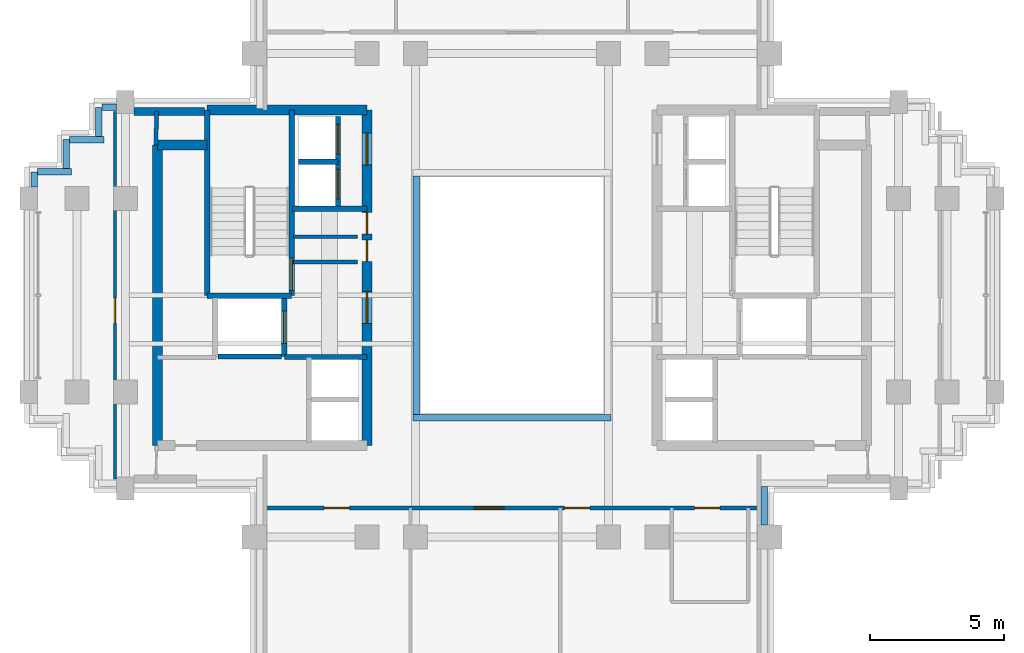
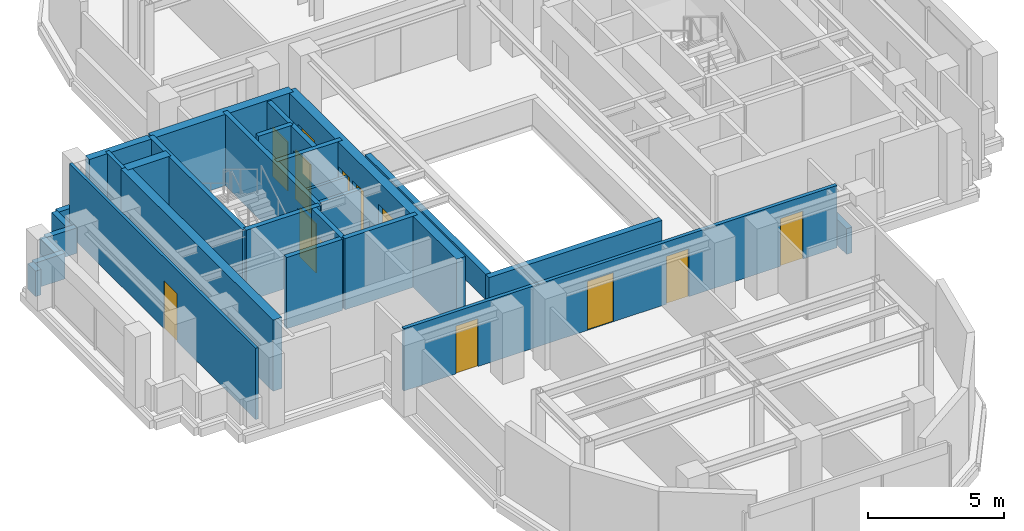
# One storey, part 6 of 11: 29 walls, 13 doors, 13 openings.
"""IFC4 building model written with IfcOpenShell, lengths in metres."""

from ifc_helpers import new_model, si_unit, direction, frame, frame_2d, origin, place, context, subcontext, project, spatial, rectangle, extrude, source, transform, mapped, material, layer, layer_set, type_object, element, fill, save


model = new_model("IFC4")

# Units and contexts
model_context = context("Model", 3, precision=1e-05, world=origin(), true_north=direction((0.0, 1.0)))
body_context = subcontext(model_context, "Body", "Model", "MODEL_VIEW")
ifc_project = project(units=[si_unit("LENGTHUNIT", "METRE"), si_unit("AREAUNIT", "SQUARE_METRE"), si_unit("VOLUMEUNIT", "CUBIC_METRE"), si_unit("PLANEANGLEUNIT", "RADIAN"), si_unit("MASSUNIT", "GRAM", prefix="KILO")], contexts=[model_context])

# Site, building, storey
site_placement = place(None, origin())
site = spatial("IfcSite", under=ifc_project, at=site_placement, CompositionType="ELEMENT")
building_placement = place(site_placement, origin())
building = spatial("IfcBuilding", under=site, at=building_placement, Name="Keilestroom Media Tower", CompositionType="ELEMENT")
storey_placement = place(building_placement, frame((0.0, 0.0, 180.800048828125)))
storey = spatial("IfcBuildingStorey", under=building, at=storey_placement, Name="L49", CompositionType="ELEMENT", Elevation=180.800048828125)

# Walls
ifc_material_1 = material(Name="Precast concrete C40/50", Category="concrete")
ifc_layer_1 = layer(ifc_material_1, 0.300048828125)
ifc_layer_set_1 = layer_set([ifc_layer_1], Name="Precast concrete C40/50")
wall_type_1 = type_object("IfcWallType", Name="Exterior-Masonry-Spandrel-Wall-300", PredefinedType="SOLIDWALL", material=ifc_layer_set_1)
wall_1_placement = place(storey_placement, frame((-14.0830078125, 6.85009765625, 0.0), z_axis=(0.0, 0.0, 1.0), x_axis=(1.0, 0.0, 0.0)))
element("IfcWall", 1, at=wall_1_placement, inside=storey, type_object=wall_type_1, Name="L49 Flank Masonry Wall EWL-L49-NW-1", PredefinedType="SOLIDWALL", context=body_context, shape_type="SweptSolid", body=[
    extrude(rectangle(XDim=2.635009765625, YDim=0.300048828125, at=frame_2d((1.3173828125, 0.0))), origin(), (0.0, 0.0, 1.0), 3.199951171875),
])
ifc_material_2 = material(Name="Gypsum Plasterboard & Steel Stud", Category="steel")
ifc_layer_2 = layer(ifc_material_2, 0.1201171875)
ifc_layer_set_2 = layer_set([ifc_layer_2], Name="Gypsum Plasterboard & Steel Stud")
wall_type_2 = type_object("IfcWallType", Name="Interior-Partition-Wall-120", PredefinedType="PARTITIONING", material=ifc_layer_set_2)
wall_2_placement = place(storey_placement, frame((-8.139892578125, 2.179931640625, 0.0), z_axis=(0.0, 0.0, 1.0), x_axis=(1.0, 0.0, 0.0)))
element("IfcWall", 2, at=wall_2_placement, inside=storey, type_object=wall_type_2, Name="L49 Interior Wall WP-L49-CNW-N", PredefinedType="PARTITIONING", context=body_context, shape_type="SweptSolid", body=[
    extrude(rectangle(XDim=2.389892578125, YDim=0.1201171875, at=frame_2d((1.19482421875, 0.0))), origin(), (0.0, 0.0, 1.0), 2.300048828125),
])

# Wall, opening, door
wall_3_placement = place(storey_placement, frame((-14.7900390625, -6.85009765625, 0.0), z_axis=(0.0, 0.0, 1.0), x_axis=(0.0, 1.0, 0.0)))
wall_3 = element("IfcWall", 3, at=wall_3_placement, inside=storey, type_object=wall_type_2, Name="L49 Interior Wall WP-L49-WA-V", PredefinedType="PARTITIONING", context=body_context, shape_type="SweptSolid", body=[
    extrude(rectangle(XDim=13.7001953125, YDim=0.1201171875, at=frame_2d((6.85009765625, 0.0))), origin(), (0.0, 0.0, 1.0), 3.199951171875),
])
opening_1_placement = place(wall_3_placement, frame((5.800048828125, 0.0, 0.0)))
opening_1 = element("IfcOpeningElement", 4, at=opening_1_placement, cuts=wall_3, Name="Opening DI-03", PredefinedType="OPENING", context=body_context, shape_type="SweptSolid", body=[
    extrude(rectangle(XDim=0.949951171875, YDim=2.14990234375, at=frame_2d((0.47509765625, 1.074951171875))), frame((0.0, 0.070068359375, 0.0), z_axis=(0.0, -1.0, 0.0), x_axis=(1.0, 0.0, 0.0)), (0.0, 0.0, 1.0), 0.14013671875),
])
ifc_material_3 = material(Name="Lacquered European Oak Leaf", Category="wood")
door_type_1 = type_object("IfcDoorType", Name="Interior-Room-And-Suite-Door-DI-03", OperationType="NOTDEFINED", PredefinedType="DOOR", material=ifc_material_3)
shared_shape_1 = source(origin(), body_context, "Body", "SweptSolid", [
    extrude(rectangle(XDim=0.949951171875, YDim=2.14990234375, at=frame_2d((0.47509765625, 1.074951171875))), frame((0.0, 0.02490234375, 0.0), z_axis=(0.0, -1.0, 0.0), x_axis=(1.0, 0.0, 0.0)), (0.0, 0.0, 1.0), 0.050048828125),
])
door_1_placement = place(opening_1_placement, origin())
door_1 = element("IfcDoor", 5, at=door_1_placement, inside=storey, type_object=door_type_1, Name="L49 Interior Door DI-L49-DWA-W", OperationType="SINGLE_SWING_RIGHT", OverallHeight=2.14990234375, OverallWidth=0.949951171875, PredefinedType="DOOR", context=body_context, shape_type="MappedRepresentation", body=[
    mapped(shared_shape_1, transform((0.0, 0.0, 0.0), x_axis=(1.0, 0.0, 0.0), y_axis=(0.0, 1.0, 0.0), z_axis=(0.0, 0.0, 1.0), scale=1.0)),
])
fill(opening_1, door_1)

# Wall
ifc_layer_3 = layer(ifc_material_2, 0.14990234375)
ifc_layer_set_3 = layer_set([ifc_layer_3], Name="Gypsum Plasterboard & Steel Stud")
wall_type_3 = type_object("IfcWallType", Name="Interior-Partition-Wall-150", PredefinedType="PARTITIONING", material=ifc_layer_set_3)
wall_4_placement = place(storey_placement, frame((-8.139892578125, 1.239990234375, 0.0), z_axis=(0.0, 0.0, 1.0), x_axis=(1.0, 0.0, 0.0)))
element("IfcWall", 6, at=wall_4_placement, inside=storey, type_object=wall_type_3, Name="L49 Interior Wall WP-L49-FFW-TOP", PredefinedType="PARTITIONING", context=body_context, shape_type="SweptSolid", body=[
    extrude(rectangle(XDim=2.389892578125, YDim=0.14990234375, at=frame_2d((1.19482421875, 0.0))), origin(), (0.0, 0.0, 1.0), 2.300048828125),
])

# Wall, openings, doors
wall_5_placement = place(storey_placement, frame((-9.199951171875, -7.919921875, 0.0), z_axis=(0.0, 0.0, 1.0), x_axis=(1.0, 0.0, 0.0)))
wall_5 = element("IfcWall", 7, at=wall_5_placement, inside=storey, type_object=wall_type_3, Name="L49 Interior Wall WP-L49-SL-BASE", PredefinedType="PARTITIONING", context=body_context, shape_type="SweptSolid", body=[
    extrude(rectangle(XDim=18.39990234375, YDim=0.14990234375, at=frame_2d((9.199951171875, 0.0))), origin(), (0.0, 0.0, 1.0), 2.800048828125),
])
opening_2_placement = place(wall_5_placement, frame((16.0, 0.0, 0.0)))
opening_2 = element("IfcOpeningElement", 8, at=opening_2_placement, cuts=wall_5, Name="Opening DI-03", PredefinedType="OPENING", context=body_context, shape_type="SweptSolid", body=[
    extrude(rectangle(XDim=0.949951171875, YDim=2.14990234375, at=frame_2d((0.47509765625, 1.074951171875))), frame((0.0, 0.0849609375, 0.0), z_axis=(0.0, -1.0, 0.0), x_axis=(1.0, 0.0, 0.0)), (0.0, 0.0, 1.0), 0.169921875),
])
opening_3_placement = place(wall_5_placement, frame((2.199951171875, 0.0, 0.0)))
opening_3 = element("IfcOpeningElement", 9, at=opening_3_placement, cuts=wall_5, Name="Opening DI-03", PredefinedType="OPENING", context=body_context, shape_type="SweptSolid", body=[
    extrude(rectangle(XDim=0.949951171875, YDim=2.14990234375, at=frame_2d((0.47509765625, 1.074951171875))), frame((0.0, 0.0849609375, 0.0), z_axis=(0.0, -1.0, 0.0), x_axis=(1.0, 0.0, 0.0)), (0.0, 0.0, 1.0), 0.169921875),
])
opening_4_placement = place(wall_5_placement, frame((7.800048828125, 0.0, 0.0)))
opening_4 = element("IfcOpeningElement", 10, at=opening_4_placement, cuts=wall_5, Name="Opening DI-04", PredefinedType="OPENING", context=body_context, shape_type="SweptSolid", body=[
    extrude(rectangle(XDim=1.10009765625, YDim=2.199951171875, at=frame_2d((0.550048828125, 1.10009765625))), frame((0.0, 0.0849609375, 0.0), z_axis=(0.0, -1.0, 0.0), x_axis=(1.0, 0.0, 0.0)), (0.0, 0.0, 1.0), 0.169921875),
])
opening_5_placement = place(wall_5_placement, frame((11.14990234375, 0.0, 0.0)))
opening_5 = element("IfcOpeningElement", 11, at=opening_5_placement, cuts=wall_5, Name="Opening DI-03", PredefinedType="OPENING", context=body_context, shape_type="SweptSolid", body=[
    extrude(rectangle(XDim=0.949951171875, YDim=2.14990234375, at=frame_2d((0.47509765625, 1.074951171875))), frame((0.0, 0.0849609375, 0.0), z_axis=(0.0, -1.0, 0.0), x_axis=(1.0, 0.0, 0.0)), (0.0, 0.0, 1.0), 0.169921875),
])
door_2_placement = place(opening_2_placement, origin())
door_2 = element("IfcDoor", 12, at=door_2_placement, inside=storey, type_object=door_type_1, Name="L49 Interior Door DI-L49-DSL-WC2", OperationType="SINGLE_SWING_LEFT", OverallHeight=2.14990234375, OverallWidth=0.949951171875, PredefinedType="DOOR", context=body_context, shape_type="MappedRepresentation", body=[
    mapped(shared_shape_1, transform((0.0, 0.0, 0.0), x_axis=(1.0, 0.0, 0.0), y_axis=(0.0, 1.0, 0.0), z_axis=(0.0, 0.0, 1.0), scale=1.0)),
])
fill(opening_2, door_2)
door_3_placement = place(opening_3_placement, origin())
door_3 = element("IfcDoor", 13, at=door_3_placement, inside=storey, type_object=door_type_1, Name="L49 Interior Door DI-L49-DSL-1", OperationType="SINGLE_SWING_RIGHT", OverallHeight=2.14990234375, OverallWidth=0.949951171875, PredefinedType="DOOR", context=body_context, shape_type="MappedRepresentation", body=[
    mapped(shared_shape_1, transform((0.0, 0.0, 0.0), x_axis=(1.0, 0.0, 0.0), y_axis=(0.0, 1.0, 0.0), z_axis=(0.0, 0.0, 1.0), scale=1.0)),
])
fill(opening_3, door_3)
door_4_placement = place(opening_5_placement, origin())
door_4 = element("IfcDoor", 14, at=door_4_placement, inside=storey, type_object=door_type_1, Name="L49 Interior Door DI-L49-DSL-3", OperationType="SINGLE_SWING_RIGHT", OverallHeight=2.14990234375, OverallWidth=0.949951171875, PredefinedType="DOOR", context=body_context, shape_type="MappedRepresentation", body=[
    mapped(shared_shape_1, transform((0.0, 0.0, 0.0), x_axis=(1.0, 0.0, 0.0), y_axis=(0.0, 1.0, 0.0), z_axis=(0.0, 0.0, 1.0), scale=1.0)),
])
fill(opening_5, door_4)
ifc_material_4 = material(Name="Acoustic Glazed Aluminium Leaf", Category="aluminium")
door_type_2 = type_object("IfcDoorType", Name="Interior-Room-And-Suite-Door-DI-04", OperationType="NOTDEFINED", PredefinedType="DOOR", material=ifc_material_4)
shared_shape_2 = source(origin(), body_context, "Body", "SweptSolid", [
    extrude(rectangle(XDim=1.10009765625, YDim=2.199951171875, at=frame_2d((0.550048828125, 1.10009765625))), frame((0.0, 0.02490234375, 0.0), z_axis=(0.0, -1.0, 0.0), x_axis=(1.0, 0.0, 0.0)), (0.0, 0.0, 1.0), 0.050048828125),
])
door_5_placement = place(opening_4_placement, origin())
door_5 = element("IfcDoor", 15, at=door_5_placement, inside=storey, type_object=door_type_2, Name="L49 Interior Door DI-L49-DSL-2", OperationType="SINGLE_SWING_LEFT", OverallHeight=2.199951171875, OverallWidth=1.10009765625, PredefinedType="DOOR", context=body_context, shape_type="MappedRepresentation", body=[
    mapped(shared_shape_2, transform((0.0, 0.0, 0.0), x_axis=(1.0, 0.0, 0.0), y_axis=(0.0, 1.0, 0.0), z_axis=(0.0, 0.0, 1.0), scale=1.0)),
])
fill(opening_4, door_5)

# Walls
wall_6_placement = place(storey_placement, frame((-13.260009765625, 5.60009765625, 0.0), z_axis=(0.0, 0.0, 1.0), x_axis=(0.016013571389, 0.999871774545, 0.0)))
element("IfcWall", 16, at=wall_6_placement, inside=storey, type_object=wall_type_3, Name="L49 Interior Wall WP-L49-WA-ENTN", PredefinedType="PARTITIONING", context=body_context, shape_type="SweptSolid", body=[
    extrude(rectangle(XDim=1.250244140625, YDim=0.14990234375, at=frame_2d((0.625, 0.0))), origin(), (0.0, 0.0, 1.0), 3.199951171875),
])
ifc_material_5 = material(Name="Concrete C55/67", Category="concrete")
ifc_layer_4 = layer(ifc_material_5, 0.3798828125)
ifc_layer_set_4 = layer_set([ifc_layer_4], Name="Concrete C55/67")
wall_type_4 = type_object("IfcWallType", Name="Reinforced-Concrete-Core-Shear-Wall-380", PredefinedType="SHEAR", material=ifc_layer_set_4)
wall_7_placement = place(storey_placement, frame((-13.199951171875, -5.60009765625, 0.0), z_axis=(0.0, 0.0, 1.0), x_axis=(0.0, 1.0, 0.0)))
element("IfcWall", 17, at=wall_7_placement, inside=storey, type_object=wall_type_4, Name="L49 Core Shear Wall WL-L49-CORE-W-OUT", PredefinedType="SHEAR", context=body_context, shape_type="SweptSolid", body=[
    extrude(rectangle(XDim=11.2001953125, YDim=0.3798828125, at=frame_2d((5.60009765625, 0.0))), origin(), (0.0, 0.0, 1.0), 3.199951171875),
])

# Wall, openings, doors
wall_8_placement = place(storey_placement, frame((-5.39990234375, -5.60009765625, 0.0), z_axis=(0.0, 0.0, 1.0), x_axis=(0.0, 1.0, 0.0)))
wall_8 = element("IfcWall", 18, at=wall_8_placement, inside=storey, type_object=wall_type_4, Name="L49 Core Shear Wall WL-L49-CORE-W-IN", PredefinedType="SHEAR", context=body_context, shape_type="SweptSolid", body=[
    extrude(rectangle(XDim=12.5, YDim=0.3798828125, at=frame_2d((6.25, 0.0))), origin(), (0.0, 0.0, 1.0), 3.199951171875),
])
opening_6_placement = place(wall_8_placement, frame((4.550048828125, 0.0, 0.0)))
opening_6 = element("IfcOpeningElement", 19, at=opening_6_placement, cuts=wall_8, Name="Opening DI-02", PredefinedType="OPENING", context=body_context, shape_type="SweptSolid", body=[
    extrude(rectangle(XDim=1.199951171875, YDim=2.199951171875, at=frame_2d((0.60009765625, 1.10009765625))), frame((0.0, 0.199951171875, 0.0), z_axis=(0.0, -1.0, 0.0), x_axis=(1.0, 0.0, 0.0)), (0.0, 0.0, 1.0), 0.39990234375),
])
opening_7_placement = place(wall_8_placement, frame((10.449951171875, 0.0, 0.0)))
opening_7 = element("IfcOpeningElement", 20, at=opening_7_placement, cuts=wall_8, Name="Opening DI-02", PredefinedType="OPENING", context=body_context, shape_type="SweptSolid", body=[
    extrude(rectangle(XDim=1.199951171875, YDim=2.199951171875, at=frame_2d((0.60009765625, 1.10009765625))), frame((0.0, 0.199951171875, 0.0), z_axis=(0.0, -1.0, 0.0), x_axis=(1.0, 0.0, 0.0)), (0.0, 0.0, 1.0), 0.39990234375),
])
opening_8_placement = place(wall_8_placement, frame((6.860107421875, 0.0, 0.0)))
opening_8 = element("IfcOpeningElement", 21, at=opening_8_placement, cuts=wall_8, Name="Opening DI-06", PredefinedType="OPENING", context=body_context, shape_type="SweptSolid", body=[
    extrude(rectangle(XDim=0.800048828125, YDim=2.10009765625, at=frame_2d((0.39990234375, 1.050048828125))), frame((0.0, 0.199951171875, 0.0), z_axis=(0.0, -1.0, 0.0), x_axis=(1.0, 0.0, 0.0)), (0.0, 0.0, 1.0), 0.39990234375),
])
opening_9_placement = place(wall_8_placement, frame((7.8798828125, 0.0, 0.0)))
opening_9 = element("IfcOpeningElement", 22, at=opening_9_placement, cuts=wall_8, Name="Opening DI-06", PredefinedType="OPENING", context=body_context, shape_type="SweptSolid", body=[
    extrude(rectangle(XDim=0.800048828125, YDim=2.10009765625, at=frame_2d((0.39990234375, 1.050048828125))), frame((0.0, 0.199951171875, 0.0), z_axis=(0.0, -1.0, 0.0), x_axis=(1.0, 0.0, 0.0)), (0.0, 0.0, 1.0), 0.39990234375),
])
ifc_material_6 = material(Name="Powder-Coated Steel Fire Leaf", Category="steel")
door_type_3 = type_object("IfcDoorType", Name="Interior-Compartment-Fire-Door-DI-02", OperationType="NOTDEFINED", PredefinedType="DOOR", material=ifc_material_6)
shared_shape_3 = source(origin(), body_context, "Body", "SweptSolid", [
    extrude(rectangle(XDim=1.199951171875, YDim=2.199951171875, at=frame_2d((0.60009765625, 1.10009765625))), frame((0.0, 0.02490234375, 0.0), z_axis=(0.0, -1.0, 0.0), x_axis=(1.0, 0.0, 0.0)), (0.0, 0.0, 1.0), 0.050048828125),
])
door_6_placement = place(opening_6_placement, origin())
door_6 = element("IfcDoor", 23, at=door_6_placement, inside=storey, type_object=door_type_3, Name="L49 W Firefighting Lobby Door", OperationType="SINGLE_SWING_RIGHT", OverallHeight=2.199951171875, OverallWidth=1.199951171875, PredefinedType="DOOR", context=body_context, shape_type="MappedRepresentation", body=[
    mapped(shared_shape_3, transform((0.0, 0.0, 0.0), x_axis=(1.0, 0.0, 0.0), y_axis=(0.0, 1.0, 0.0), z_axis=(0.0, 0.0, 1.0), scale=1.0)),
])
fill(opening_6, door_6)
door_7_placement = place(opening_7_placement, origin())
door_7 = element("IfcDoor", 24, at=door_7_placement, inside=storey, type_object=door_type_3, Name="L49 W High-Rise Lift Lobby Door", OperationType="SINGLE_SWING_LEFT", OverallHeight=2.199951171875, OverallWidth=1.199951171875, PredefinedType="DOOR", context=body_context, shape_type="MappedRepresentation", body=[
    mapped(shared_shape_3, transform((0.0, 0.0, 0.0), x_axis=(1.0, 0.0, 0.0), y_axis=(0.0, 1.0, 0.0), z_axis=(0.0, 0.0, 1.0), scale=1.0)),
])
fill(opening_7, door_7)
ifc_material_7 = material(Name="Powder-Coated Steel Service Leaf", Category="steel")
door_type_4 = type_object("IfcDoorType", Name="Interior-Riser-Access-Door-DI-06", OperationType="NOTDEFINED", PredefinedType="DOOR", material=ifc_material_7)
shared_shape_4 = source(origin(), body_context, "Body", "SweptSolid", [
    extrude(rectangle(XDim=0.800048828125, YDim=2.10009765625, at=frame_2d((0.39990234375, 1.050048828125))), frame((0.0, 0.02490234375, 0.0), z_axis=(0.0, -1.0, 0.0), x_axis=(1.0, 0.0, 0.0)), (0.0, 0.0, 1.0), 0.050048828125),
])
door_8_placement = place(opening_8_placement, origin())
door_8 = element("IfcDoor", 25, at=door_8_placement, inside=storey, type_object=door_type_4, Name="L49 West Core Switchroom Door", OperationType="SINGLE_SWING_LEFT", OverallHeight=2.10009765625, OverallWidth=0.800048828125, PredefinedType="DOOR", context=body_context, shape_type="MappedRepresentation", body=[
    mapped(shared_shape_4, transform((0.0, 0.0, 0.0), x_axis=(1.0, 0.0, 0.0), y_axis=(0.0, 1.0, 0.0), z_axis=(0.0, 0.0, 1.0), scale=1.0)),
])
fill(opening_8, door_8)
door_9_placement = place(opening_9_placement, origin())
door_9 = element("IfcDoor", 26, at=door_9_placement, inside=storey, type_object=door_type_4, Name="L49 West Core Closet Door", OperationType="SINGLE_SWING_LEFT", OverallHeight=2.10009765625, OverallWidth=0.800048828125, PredefinedType="DOOR", context=body_context, shape_type="MappedRepresentation", body=[
    mapped(shared_shape_4, transform((0.0, 0.0, 0.0), x_axis=(1.0, 0.0, 0.0), y_axis=(0.0, 1.0, 0.0), z_axis=(0.0, 0.0, 1.0), scale=1.0)),
])
fill(opening_9, door_9)

# Walls
wall_9_placement = place(storey_placement, frame((-11.35595703125, 6.89990234375, 0.0), z_axis=(0.0, 0.0, 1.0), x_axis=(1.0, 0.0, 0.0)))
element("IfcWall", 27, at=wall_9_placement, inside=storey, type_object=wall_type_4, Name="L49 Core Shear Wall WL-L49-CORE-W-N", PredefinedType="SHEAR", context=body_context, shape_type="SweptSolid", body=[
    extrude(rectangle(XDim=5.9560546875, YDim=0.3798828125, at=frame_2d((2.97802734375, 0.0))), origin(), (0.0, 0.0, 1.0), 3.199951171875),
])
wall_10_placement = place(storey_placement, frame((-13.199951171875, 5.60009765625, 0.0), z_axis=(0.0, 0.0, 1.0), x_axis=(1.0, 0.0, 0.0)))
element("IfcWall", 28, at=wall_10_placement, inside=storey, type_object=wall_type_4, Name="L49 Core Shear Wall WL-L49-CNW-N", PredefinedType="SHEAR", context=body_context, shape_type="SweptSolid", body=[
    extrude(rectangle(XDim=1.843994140625, YDim=0.3798828125, at=frame_2d((0.921875, 0.0))), origin(), (0.0, 0.0, 1.0), 3.199951171875),
])
ifc_material_8 = material(Name="Concrete C50/60", Category="concrete")
ifc_layer_5 = layer(ifc_material_8, 0.199951171875)
ifc_layer_set_5 = layer_set([ifc_layer_5], Name="Concrete C50/60")
wall_type_5 = type_object("IfcWallType", Name="Reinforced-Concrete-Shaft-Wall-200", PredefinedType="SOLIDWALL", material=ifc_layer_set_5)
wall_11_placement = place(storey_placement, frame((-8.179931640625, 3.219970703125, 0.0), z_axis=(0.0, 0.0, 1.0), x_axis=(1.0, 0.0, 0.0)))
element("IfcWall", 29, at=wall_11_placement, inside=storey, type_object=wall_type_5, Name="L49 Core Shear Wall WL-L49-CORE-W-FFN", PredefinedType="SOLIDWALL", context=body_context, shape_type="SweptSolid", body=[
    extrude(rectangle(XDim=2.780029296875, YDim=0.199951171875, at=frame_2d((1.39013671875, 0.0))), origin(), (0.0, 0.0, 1.0), 3.199951171875),
])
wall_12_placement = place(storey_placement, frame((-8.47998046875, -2.300048828125, 0.0), z_axis=(0.0, 0.0, 1.0), x_axis=(1.0, 0.0, 0.0)))
element("IfcWall", 30, at=wall_12_placement, inside=storey, type_object=wall_type_5, Name="L49 Core Shear Wall WL-L49-CORE-W-FFS", PredefinedType="SOLIDWALL", context=body_context, shape_type="SweptSolid", body=[
    extrude(rectangle(XDim=3.080078125, YDim=0.199951171875, at=frame_2d((1.5400390625, 0.0))), origin(), (0.0, 0.0, 1.0), 3.199951171875),
])

# Wall, opening, door
wall_13_placement = place(storey_placement, frame((-8.2041015625, -0.01611328125, 0.0), z_axis=(0.0, 0.0, 1.0), x_axis=(0.0, 1.0, 0.0)))
wall_13 = element("IfcWall", 31, at=wall_13_placement, inside=storey, type_object=wall_type_5, Name="L49 Core Shear Wall WL-L49-STW-W-NEAR", PredefinedType="SOLIDWALL", context=body_context, shape_type="SweptSolid", body=[
    extrude(rectangle(XDim=6.916015625, YDim=0.199951171875, at=frame_2d((3.4580078125, 0.0))), origin(), (0.0, 0.0, 1.0), 3.199951171875),
])
opening_10_placement = place(wall_13_placement, frame((0.199951171875, 0.0, 0.0)))
opening_10 = element("IfcOpeningElement", 32, at=opening_10_placement, cuts=wall_13, Name="Opening DI-01S", PredefinedType="OPENING", context=body_context, shape_type="SweptSolid", body=[
    extrude(rectangle(XDim=1.199951171875, YDim=2.199951171875, at=frame_2d((0.60009765625, 1.10009765625))), frame((0.0, 0.10986328125, 0.0), z_axis=(0.0, -1.0, 0.0), x_axis=(1.0, 0.0, 0.0)), (0.0, 0.0, 1.0), 0.219970703125),
])
door_type_5 = type_object("IfcDoorType", Name="Interior-Stair-And-Core-Fire-Door-DI-01", OperationType="NOTDEFINED", PredefinedType="DOOR", material=ifc_material_6)
door_10_placement = place(opening_10_placement, origin())
door_10 = element("IfcDoor", 33, at=door_10_placement, inside=storey, type_object=door_type_5, Name="L49 Escape Stair ST-1 Fire Door", OperationType="SINGLE_SWING_LEFT", OverallHeight=2.199951171875, OverallWidth=1.199951171875, PredefinedType="DOOR", context=body_context, shape_type="MappedRepresentation", body=[
    mapped(shared_shape_3, transform((0.0, 0.0, 0.0), x_axis=(1.0, 0.0, 0.0), y_axis=(0.0, 1.0, 0.0), z_axis=(0.0, 0.0, 1.0), scale=1.0)),
])
fill(opening_10, door_10)

# Walls
wall_14_placement = place(storey_placement, frame((-11.35595703125, -0.01611328125, 0.0), z_axis=(0.0, 0.0, 1.0), x_axis=(0.0, 1.0, 0.0)))
element("IfcWall", 34, at=wall_14_placement, inside=storey, type_object=wall_type_5, Name="L49 Core Shear Wall WL-L49-STW-W-FAR", PredefinedType="SOLIDWALL", context=body_context, shape_type="SweptSolid", body=[
    extrude(rectangle(XDim=6.916015625, YDim=0.199951171875, at=frame_2d((3.4580078125, 0.0))), origin(), (0.0, 0.0, 1.0), 3.199951171875),
])
wall_15_placement = place(storey_placement, frame((-11.35595703125, -0.01611328125, 0.0), z_axis=(0.0, 0.0, 1.0), x_axis=(1.0, 0.0, 0.0)))
element("IfcWall", 35, at=wall_15_placement, inside=storey, type_object=wall_type_5, Name="L49 Core Shear Wall WL-L49-STW-W-S", PredefinedType="SOLIDWALL", context=body_context, shape_type="SweptSolid", body=[
    extrude(rectangle(XDim=3.15185546875, YDim=0.199951171875, at=frame_2d((1.575927734375, 0.0))), origin(), (0.0, 0.0, 1.0), 3.199951171875),
])

# Wall, opening, door
wall_16_placement = place(storey_placement, frame((-8.47998046875, -2.280029296875, 0.0), z_axis=(0.0, 0.0, 1.0), x_axis=(0.0, 1.0, 0.0)))
wall_16 = element("IfcWall", 36, at=wall_16_placement, inside=storey, type_object=wall_type_5, Name="L49 Core Shear Wall WL-L49-LSH-FFL-1-E", PredefinedType="SOLIDWALL", context=body_context, shape_type="SweptSolid", body=[
    extrude(rectangle(XDim=2.179931640625, YDim=0.199951171875, at=frame_2d((1.08984375, 0.0))), origin(), (0.0, 0.0, 1.0), 3.199951171875),
])
opening_11_placement = place(wall_16_placement, frame((0.489990234375, 0.0, 0.0)))
opening_11 = element("IfcOpeningElement", 37, at=opening_11_placement, cuts=wall_16, Name="Opening LD-02", PredefinedType="OPENING", context=body_context, shape_type="SweptSolid", body=[
    extrude(rectangle(XDim=1.199951171875, YDim=2.199951171875, at=frame_2d((0.60009765625, 1.10009765625))), frame((0.0, 0.10986328125, 0.0), z_axis=(0.0, -1.0, 0.0), x_axis=(1.0, 0.0, 0.0)), (0.0, 0.0, 1.0), 0.219970703125),
])
ifc_material_9 = material(Name="Brushed Stainless Steel Sliding Leaf", Category="steel")
door_type_6 = type_object("IfcDoorType", Name="Lift-Landing-Sliding-Door-LD-02", OperationType="SLIDING_TO_RIGHT", PredefinedType="DOOR", material=ifc_material_9)
door_11_placement = place(opening_11_placement, origin())
door_11 = element("IfcDoor", 38, at=door_11_placement, inside=storey, type_object=door_type_6, Name="L49 Lift FFL-1 Landing Sliding Door", OperationType="SLIDING_TO_RIGHT", OverallHeight=2.199951171875, OverallWidth=1.199951171875, PredefinedType="DOOR", context=body_context, shape_type="MappedRepresentation", body=[
    mapped(shared_shape_3, transform((0.0, 0.0, 0.0), x_axis=(1.0, 0.0, 0.0), y_axis=(0.0, 1.0, 0.0), z_axis=(0.0, 0.0, 1.0), scale=1.0)),
])
fill(opening_11, door_11)

# Wall
wall_17_placement = place(storey_placement, frame((-10.946044921875, -2.280029296875, 0.0), z_axis=(0.0, 0.0, 1.0), x_axis=(1.0, 0.0, 0.0)))
element("IfcWall", 39, at=wall_17_placement, inside=storey, type_object=wall_type_5, Name="L49 Core Shear Wall WL-L49-LSH-FFL-1-S", PredefinedType="SOLIDWALL", context=body_context, shape_type="SweptSolid", body=[
    extrude(rectangle(XDim=2.362060546875, YDim=0.199951171875, at=frame_2d((1.18115234375, 0.0))), origin(), (0.0, 0.0, 1.0), 3.199951171875),
])

# Wall, opening, door
wall_18_placement = place(storey_placement, frame((-6.47998046875, 3.300048828125, 0.0), z_axis=(0.0, 0.0, 1.0), x_axis=(0.0, 1.0, 0.0)))
wall_18 = element("IfcWall", 40, at=wall_18_placement, inside=storey, type_object=wall_type_5, Name="L49 Core Shear Wall WL-L49-LSH-PL-H1-E", PredefinedType="SOLIDWALL", context=body_context, shape_type="SweptSolid", body=[
    extrude(rectangle(XDim=1.679931640625, YDim=0.199951171875, at=frame_2d((0.83984375, 0.0))), origin(), (0.0, 0.0, 1.0), 3.199951171875),
])
opening_12_placement = place(wall_18_placement, frame((0.2900390625, 0.0, 0.0)))
opening_12 = element("IfcOpeningElement", 41, at=opening_12_placement, cuts=wall_18, Name="Opening LD-01", PredefinedType="OPENING", context=body_context, shape_type="SweptSolid", body=[
    extrude(rectangle(XDim=1.10009765625, YDim=2.199951171875, at=frame_2d((0.550048828125, 1.10009765625))), frame((0.0, 0.10986328125, 0.0), z_axis=(0.0, -1.0, 0.0), x_axis=(1.0, 0.0, 0.0)), (0.0, 0.0, 1.0), 0.219970703125),
])
door_type_7 = type_object("IfcDoorType", Name="Lift-Landing-Sliding-Door-LD-01", OperationType="SLIDING_TO_LEFT", PredefinedType="DOOR", material=ifc_material_9)
door_12_placement = place(opening_12_placement, origin())
door_12 = element("IfcDoor", 42, at=door_12_placement, inside=storey, type_object=door_type_7, Name="L49 Lift PL-H1 Landing Sliding Door", OperationType="SLIDING_TO_LEFT", OverallHeight=2.199951171875, OverallWidth=1.10009765625, PredefinedType="DOOR", context=body_context, shape_type="MappedRepresentation", body=[
    mapped(shared_shape_2, transform((0.0, 0.0, 0.0), x_axis=(1.0, 0.0, 0.0), y_axis=(0.0, 1.0, 0.0), z_axis=(0.0, 0.0, 1.0), scale=1.0)),
])
fill(opening_12, door_12)

# Wall
wall_19_placement = place(storey_placement, frame((-7.949951171875, 4.97998046875, 0.0), z_axis=(0.0, 0.0, 1.0), x_axis=(1.0, 0.0, 0.0)))
element("IfcWall", 43, at=wall_19_placement, inside=storey, type_object=wall_type_5, Name="L49 Core Shear Wall WL-L49-LSH-PL-H1-N", PredefinedType="SOLIDWALL", context=body_context, shape_type="SweptSolid", body=[
    extrude(rectangle(XDim=1.469970703125, YDim=0.199951171875, at=frame_2d((0.73486328125, 0.0))), origin(), (0.0, 0.0, 1.0), 3.199951171875),
])

# Wall, opening, door
wall_20_placement = place(storey_placement, frame((-6.47998046875, 4.97998046875, 0.0), z_axis=(0.0, 0.0, 1.0), x_axis=(0.0, 1.0, 0.0)))
wall_20 = element("IfcWall", 44, at=wall_20_placement, inside=storey, type_object=wall_type_5, Name="L49 Core Shear Wall WL-L49-LSH-PL-H2-E", PredefinedType="SOLIDWALL", context=body_context, shape_type="SweptSolid", body=[
    extrude(rectangle(XDim=1.669921875, YDim=0.199951171875, at=frame_2d((0.8349609375, 0.0))), origin(), (0.0, 0.0, 1.0), 3.199951171875),
])
opening_13_placement = place(wall_20_placement, frame((0.284912109375, 0.0, 0.0)))
opening_13 = element("IfcOpeningElement", 45, at=opening_13_placement, cuts=wall_20, Name="Opening LD-01", PredefinedType="OPENING", context=body_context, shape_type="SweptSolid", body=[
    extrude(rectangle(XDim=1.10009765625, YDim=2.199951171875, at=frame_2d((0.550048828125, 1.10009765625))), frame((0.0, 0.10986328125, 0.0), z_axis=(0.0, -1.0, 0.0), x_axis=(1.0, 0.0, 0.0)), (0.0, 0.0, 1.0), 0.219970703125),
])
door_13_placement = place(opening_13_placement, origin())
door_13 = element("IfcDoor", 46, at=door_13_placement, inside=storey, type_object=door_type_7, Name="L49 Lift PL-H2 Landing Sliding Door", OperationType="SLIDING_TO_LEFT", OverallHeight=2.199951171875, OverallWidth=1.10009765625, PredefinedType="DOOR", context=body_context, shape_type="MappedRepresentation", body=[
    mapped(shared_shape_2, transform((0.0, 0.0, 0.0), x_axis=(1.0, 0.0, 0.0), y_axis=(0.0, 1.0, 0.0), z_axis=(0.0, 0.0, 1.0), scale=1.0)),
])
fill(opening_13, door_13)

# Walls
ifc_layer_6 = layer(ifc_material_1, 0.239990234375)
ifc_layer_set_6 = layer_set([ifc_layer_6], Name="Precast concrete C40/50")
wall_type_6 = type_object("IfcWallType", Name="Roof-And-Terrace-Parapet-Wall-240", PredefinedType="PARAPET", material=ifc_layer_set_6)
wall_21_placement = place(storey_placement, frame((9.39990234375, -7.123046875, 0.0), z_axis=(0.0, 0.0, 1.0), x_axis=(0.0, -1.0, 0.0)))
element("IfcWall", 47, at=wall_21_placement, inside=storey, type_object=wall_type_6, Name="L49 Perimeter Edge Parapet Wall 08", PredefinedType="PARAPET", context=body_context, shape_type="SweptSolid", body=[
    extrude(rectangle(XDim=1.424072265625, YDim=0.239990234375, at=frame_2d((0.7119140625, 0.0))), origin(), (0.0, 0.0, 1.0), 1.14990234375),
])
wall_22_placement = place(storey_placement, frame((-17.800048828125, 4.028076171875, 0.0), z_axis=(0.0, 0.0, 1.0), x_axis=(0.0, 1.0, 0.0)))
element("IfcWall", 48, at=wall_22_placement, inside=storey, type_object=wall_type_6, Name="L49 Perimeter Edge Parapet Wall 20", PredefinedType="PARAPET", context=body_context, shape_type="SweptSolid", body=[
    extrude(rectangle(XDim=0.572021484375, YDim=0.239990234375, at=frame_2d((0.2861328125, 0.0))), origin(), (0.0, 0.0, 1.0), 1.14990234375),
])
wall_23_placement = place(storey_placement, frame((-17.677001953125, 4.60009765625, 0.0), z_axis=(0.0, 0.0, 1.0), x_axis=(1.0, 0.0, 0.0)))
element("IfcWall", 49, at=wall_23_placement, inside=storey, type_object=wall_type_6, Name="L49 Perimeter Edge Parapet Wall 21", PredefinedType="PARAPET", context=body_context, shape_type="SweptSolid", body=[
    extrude(rectangle(XDim=1.277099609375, YDim=0.239990234375, at=frame_2d((0.638671875, 0.0))), origin(), (0.0, 0.0, 1.0), 1.14990234375),
])
wall_24_placement = place(storey_placement, frame((-16.60009765625, 4.722900390625, 0.0), z_axis=(0.0, 0.0, 1.0), x_axis=(0.0, 1.0, 0.0)))
element("IfcWall", 50, at=wall_24_placement, inside=storey, type_object=wall_type_6, Name="L49 Perimeter Edge Parapet Wall 22", PredefinedType="PARAPET", context=body_context, shape_type="SweptSolid", body=[
    extrude(rectangle(XDim=1.0771484375, YDim=0.239990234375, at=frame_2d((0.53857421875, 0.0))), origin(), (0.0, 0.0, 1.0), 1.14990234375),
])
wall_25_placement = place(storey_placement, frame((-16.47705078125, 5.800048828125, 0.0), z_axis=(0.0, 0.0, 1.0), x_axis=(1.0, 0.0, 0.0)))
element("IfcWall", 51, at=wall_25_placement, inside=storey, type_object=wall_type_6, Name="L49 Perimeter Edge Parapet Wall 23", PredefinedType="PARAPET", context=body_context, shape_type="SweptSolid", body=[
    extrude(rectangle(XDim=1.277099609375, YDim=0.239990234375, at=frame_2d((0.638671875, 0.0))), origin(), (0.0, 0.0, 1.0), 1.14990234375),
])
wall_26_placement = place(storey_placement, frame((-15.39990234375, 5.923095703125, 0.0), z_axis=(0.0, 0.0, 1.0), x_axis=(0.0, 1.0, 0.0)))
element("IfcWall", 52, at=wall_26_placement, inside=storey, type_object=wall_type_6, Name="L49 Perimeter Edge Parapet Wall 24", PredefinedType="PARAPET", context=body_context, shape_type="SweptSolid", body=[
    extrude(rectangle(XDim=1.076904296875, YDim=0.239990234375, at=frame_2d((0.53857421875, 0.0))), origin(), (0.0, 0.0, 1.0), 1.14990234375),
])
wall_27_placement = place(storey_placement, frame((-15.277099609375, 7.0, 0.0), z_axis=(0.0, 0.0, 1.0), x_axis=(1.0, 0.0, 0.0)))
element("IfcWall", 53, at=wall_27_placement, inside=storey, type_object=wall_type_6, Name="L49 Perimeter Edge Parapet Wall 25", PredefinedType="PARAPET", context=body_context, shape_type="SweptSolid", body=[
    extrude(rectangle(XDim=0.549072265625, YDim=0.239990234375, at=frame_2d((0.2744140625, 0.0))), origin(), (0.0, 0.0, 1.0), 1.14990234375),
])
wall_28_placement = place(storey_placement, frame((-3.679931640625, -4.56005859375, 0.0), z_axis=(0.0, 0.0, 1.0), x_axis=(1.0, 0.0, 0.0)))
element("IfcWall", 54, at=wall_28_placement, inside=storey, type_object=wall_type_6, Name="L49 Central Atrium Guard Parapet S", PredefinedType="PARAPET", context=body_context, shape_type="SweptSolid", body=[
    extrude(rectangle(XDim=7.35986328125, YDim=0.239990234375, at=frame_2d((3.679931640625, 0.0))), origin(), (0.0, 0.0, 1.0), 1.14990234375),
])
wall_29_placement = place(storey_placement, frame((-3.56005859375, -4.43505859375, 0.0), z_axis=(0.0, 0.0, 1.0), x_axis=(0.0, 1.0, 0.0)))
element("IfcWall", 55, at=wall_29_placement, inside=storey, type_object=wall_type_6, Name="L49 Central Atrium Guard Parapet W", PredefinedType="PARAPET", context=body_context, shape_type="SweptSolid", body=[
    extrude(rectangle(XDim=8.8701171875, YDim=0.239990234375, at=frame_2d((4.43505859375, 0.0))), origin(), (0.0, 0.0, 1.0), 1.14990234375),
])

save(model, "model.ifc")
